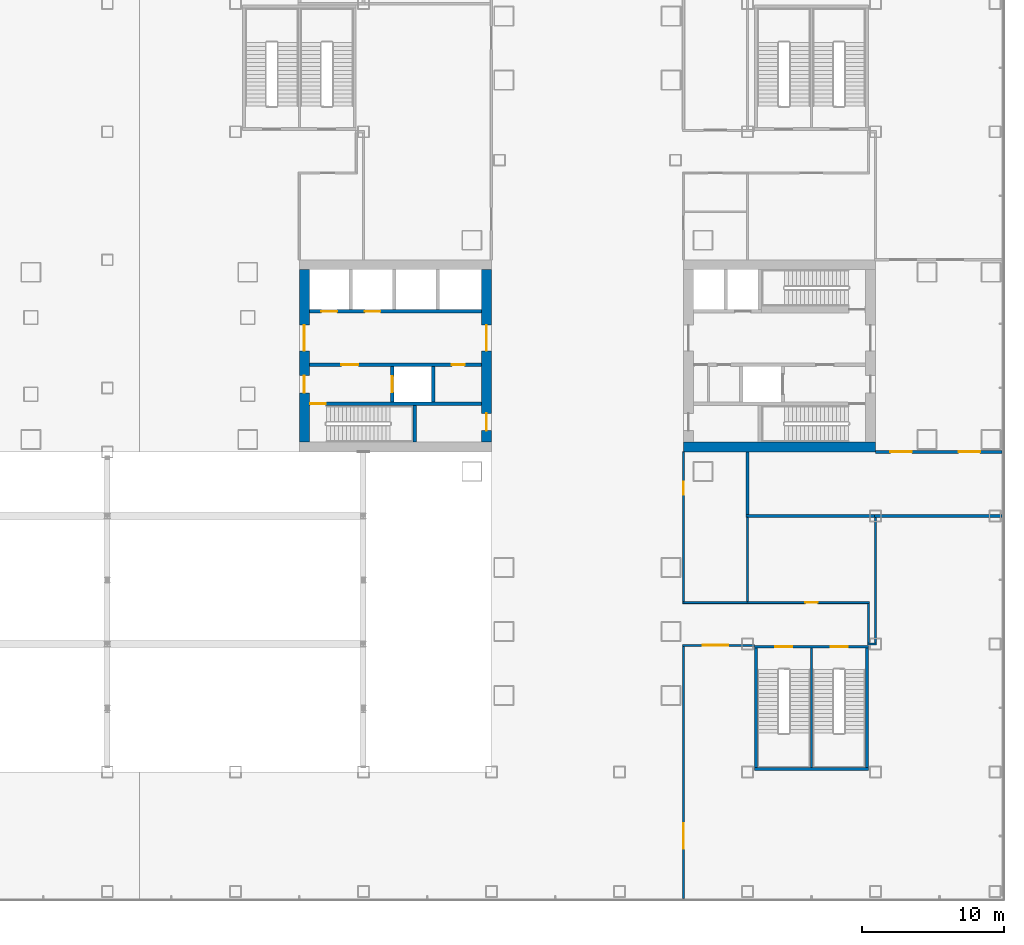
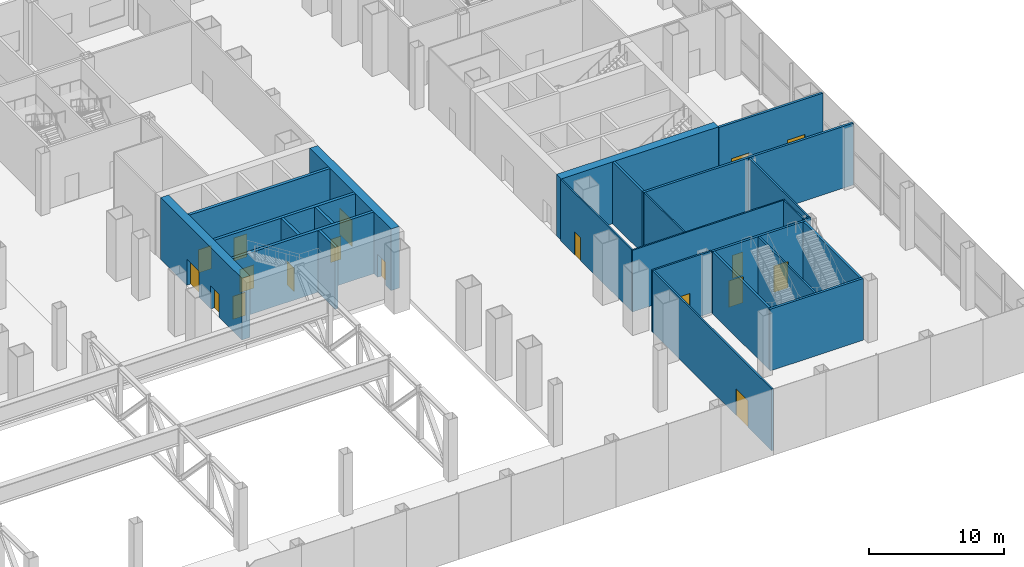
# One storey, part 21 of 33: 26 walls, 18 doors, 18 openings.
"""IFC4 building model written with IfcOpenShell, lengths in metres."""

from ifc_helpers import new_model, si_unit, direction, frame, frame_2d, origin, place, context, subcontext, project, spatial, rectangle, extrude, material, layer, layer_set, type_object, element, fill, save


model = new_model("IFC4")

# Units and contexts
model_context = context("Model", 3, precision=1e-05, world=origin(), true_north=direction((0.0, 1.0)))
body_context = subcontext(model_context, "Body", "Model", "MODEL_VIEW")
ifc_project = project(units=[si_unit("LENGTHUNIT", "METRE"), si_unit("AREAUNIT", "SQUARE_METRE"), si_unit("VOLUMEUNIT", "CUBIC_METRE"), si_unit("PLANEANGLEUNIT", "RADIAN"), si_unit("MASSUNIT", "GRAM", prefix="KILO")], contexts=[model_context])

# Site, building, storey
site_placement = place(None, origin())
site = spatial("IfcSite", under=ifc_project, at=site_placement, CompositionType="ELEMENT")
building_placement = place(site_placement, origin())
building = spatial("IfcBuilding", under=site, at=building_placement, Name="Shamsa Quay Exchange Towers", CompositionType="ELEMENT")
storey_placement = place(building_placement, frame((0.0, 0.0, 6.5)))
storey = spatial("IfcBuildingStorey", under=building, at=storey_placement, Name="L01", CompositionType="ELEMENT", Elevation=6.5)

# Wall, openings, doors
ifc_material_1 = material(Name="Double-leaf gypsum board partition with acoustic insulation")
ifc_layer_1 = layer(ifc_material_1, 0.199951171875)
ifc_layer_set_1 = layer_set([ifc_layer_1], Name="Acoustic partition 200 mm EI 60")
wall_type_1 = type_object("IfcWallType", Name="Acoustic partition 200 mm EI 60", PredefinedType="PARTITIONING", material=ifc_layer_set_1)
wall_1_placement = place(storey_placement, frame((54.0, -6.75, 0.0)))
wall_1 = element("IfcWall", 1, at=wall_1_placement, inside=storey, type_object=wall_type_1, Name="Partition PD-L01-W20", PredefinedType="PARTITIONING", context=body_context, shape_type="SweptSolid", body=[
    extrude(rectangle(XDim=8.905029296875, YDim=0.199951171875, at=frame_2d((4.45263671875, 0.0))), origin(), (0.0, 0.0, 1.0), 5.60009765625),
])
opening_1_placement = place(wall_1_placement, frame((1.050048828125, 0.0, 0.0)))
opening_1 = element("IfcOpeningElement", 2, at=opening_1_placement, cuts=wall_1, Name="Opening PD-L01-D35", PredefinedType="OPENING", context=body_context, shape_type="SweptSolid", body=[
    extrude(rectangle(XDim=1.5, YDim=2.39990234375, at=frame_2d((0.75, 1.199951171875))), frame((0.0, 0.10986328125, 0.0), z_axis=(0.0, -1.0, 0.0), x_axis=(1.0, 0.0, 0.0)), (0.0, 0.0, 1.0), 0.219970703125),
])
opening_2_placement = place(wall_1_placement, frame((5.85009765625, 0.0, 0.0)))
opening_2 = element("IfcOpeningElement", 3, at=opening_2_placement, cuts=wall_1, Name="Opening PD-L01-D36", PredefinedType="OPENING", context=body_context, shape_type="SweptSolid", body=[
    extrude(rectangle(XDim=1.5, YDim=2.39990234375, at=frame_2d((0.75, 1.199951171875))), frame((0.0, 0.10986328125, 0.0), z_axis=(0.0, -1.0, 0.0), x_axis=(1.0, 0.0, 0.0)), (0.0, 0.0, 1.0), 0.219970703125),
])
ifc_material_2 = material(Name="Timber door leaf in a metal frame", Category="wood")
door_type_1 = type_object("IfcDoorType", Name="Door 1500x2400 FD30S pair", OperationType="NOTDEFINED", PredefinedType="DOOR", material=ifc_material_2)
door_1_placement = place(opening_1_placement, origin())
door_1 = element("IfcDoor", 4, at=door_1_placement, inside=storey, type_object=door_type_1, Name="Door PD-L01-D35", OperationType="DOUBLE_DOOR_SINGLE_SWING", OverallHeight=2.39990234375, OverallWidth=1.5, PredefinedType="DOOR", context=body_context, shape_type="SweptSolid", body=[
    extrude(rectangle(XDim=1.5, YDim=2.39990234375, at=frame_2d((0.75, 1.199951171875))), frame((0.0, 0.02490234375, 0.0), z_axis=(0.0, -1.0, 0.0), x_axis=(1.0, 0.0, 0.0)), (0.0, 0.0, 1.0), 0.050048828125),
])
fill(opening_1, door_1)
door_2_placement = place(opening_2_placement, origin())
door_2 = element("IfcDoor", 5, at=door_2_placement, inside=storey, type_object=door_type_1, Name="Door PD-L01-D36", OperationType="DOUBLE_DOOR_SINGLE_SWING", OverallHeight=2.39990234375, OverallWidth=1.5, PredefinedType="DOOR", context=body_context, shape_type="SweptSolid", body=[
    extrude(rectangle(XDim=1.5, YDim=2.39990234375, at=frame_2d((0.75, 1.199951171875))), frame((0.0, 0.02490234375, 0.0), z_axis=(0.0, -1.0, 0.0), x_axis=(1.0, 0.0, 0.0)), (0.0, 0.0, 1.0), 0.050048828125),
])
fill(opening_2, door_2)

# Walls
wall_2_placement = place(storey_placement, frame((62.905029296875, -11.25, 0.0), z_axis=(0.0, 0.0, 1.0), x_axis=(-1.0, 0.0, 0.0)))
element("IfcWall", 6, at=wall_2_placement, inside=storey, type_object=wall_type_1, Name="Partition PD-L01-W53", PredefinedType="PARTITIONING", context=body_context, shape_type="SweptSolid", body=[
    extrude(rectangle(XDim=8.97998046875, YDim=0.199951171875, at=frame_2d((4.489990234375, 0.0))), origin(), (0.0, 0.0, 1.0), 5.60009765625),
])
wall_3_placement = place(storey_placement, frame((44.89990234375, -11.25, 0.0)))
element("IfcWall", 7, at=wall_3_placement, inside=storey, type_object=wall_type_1, Name="Partition PD-L01-W64", PredefinedType="PARTITIONING", context=body_context, shape_type="SweptSolid", body=[
    extrude(rectangle(XDim=9.175048828125, YDim=0.199951171875, at=frame_2d((4.58740234375, 0.0))), origin(), (0.0, 0.0, 1.0), 5.60009765625),
])
wall_4_placement = place(storey_placement, frame((45.0, -6.75, 0.0), z_axis=(0.0, 0.0, 1.0), x_axis=(0.0, -1.0, 0.0)))
element("IfcWall", 8, at=wall_4_placement, inside=storey, type_object=wall_type_1, Name="Partition PD-L01-W65", PredefinedType="PARTITIONING", context=body_context, shape_type="SweptSolid", body=[
    extrude(rectangle(XDim=4.39990234375, YDim=0.199951171875, at=frame_2d((2.199951171875, 0.0))), origin(), (0.0, 0.0, 1.0), 5.60009765625),
])

# Wall, openings, doors
ifc_material_3 = material(Name="Concrete C80/95", Category="concrete")
ifc_layer_2 = layer(ifc_material_3, 0.699951171875)
ifc_layer_set_2 = layer_set([ifc_layer_2], Name="CORE WALL 700 C80/95")
wall_type_2 = type_object("IfcWallType", Name="CORE WALL 700 C80/95", PredefinedType="SHEAR", material=ifc_layer_set_2)
wall_5_placement = place(storey_placement, frame((13.85009765625, 6.050048828125, 0.0), z_axis=(0.0, 0.0, 1.0), x_axis=(0.0, -1.0, 0.0)))
wall_5 = element("IfcWall", 9, at=wall_5_placement, inside=storey, type_object=wall_type_2, Name="Core wall T2A-L01-PF", PredefinedType="SHEAR", context=body_context, shape_type="SweptSolid", body=[
    extrude(rectangle(XDim=12.10009765625, YDim=0.699951171875, at=frame_2d((6.050048828125, 0.0))), origin(), (0.0, 0.0, 1.0), 5.60009765625),
])
opening_3_placement = place(wall_5_placement, frame((7.449951171875, 0.0, 0.0)))
opening_3 = element("IfcOpeningElement", 10, at=opening_3_placement, cuts=wall_5, Name="Opening T2A-L01-FD01", PredefinedType="OPENING", context=body_context, shape_type="SweptSolid", body=[
    extrude(rectangle(XDim=1.199951171875, YDim=2.10009765625, at=frame_2d((0.60009765625, 1.050048828125))), frame((0.0, 0.35986328125, 0.0), z_axis=(0.0, -1.0, 0.0), x_axis=(1.0, 0.0, 0.0)), (0.0, 0.0, 1.0), 0.719970703125),
])
opening_4_placement = place(wall_5_placement, frame((3.89990234375, 0.0, 0.0)))
opening_4 = element("IfcOpeningElement", 11, at=opening_4_placement, cuts=wall_5, Name="Opening T2A-L01-LBD02", PredefinedType="OPENING", context=body_context, shape_type="SweptSolid", body=[
    extrude(rectangle(XDim=1.800048828125, YDim=2.39990234375, at=frame_2d((0.89990234375, 1.199951171875))), frame((0.0, 0.35986328125, 0.0), z_axis=(0.0, -1.0, 0.0), x_axis=(1.0, 0.0, 0.0)), (0.0, 0.0, 1.0), 0.719970703125),
])
ifc_material_4 = material(Name="Steel, fire rated", Category="steel")
door_type_2 = type_object("IfcDoorType", Name="FIRE SERVICE LOBBY DOOR 1200", OperationType="SINGLE_SWING_LEFT", PredefinedType="DOOR", material=ifc_material_4)
door_3_placement = place(opening_3_placement, origin())
door_3 = element("IfcDoor", 12, at=door_3_placement, inside=storey, type_object=door_type_2, Name="T2A-L01-FD01", OperationType="SINGLE_SWING_RIGHT", OverallHeight=2.10009765625, OverallWidth=1.199951171875, PredefinedType="DOOR", context=body_context, shape_type="SweptSolid", body=[
    extrude(rectangle(XDim=1.199951171875, YDim=2.10009765625, at=frame_2d((0.60009765625, 1.050048828125))), frame((0.0, 0.02490234375, 0.0), z_axis=(0.0, -1.0, 0.0), x_axis=(1.0, 0.0, 0.0)), (0.0, 0.0, 1.0), 0.050048828125),
])
fill(opening_3, door_3)
door_type_3 = type_object("IfcDoorType", Name="LIFT LOBBY DOOR PAIR 1800", OperationType="DOUBLE_DOOR_SINGLE_SWING", PredefinedType="DOOR", material=ifc_material_4)
door_4_placement = place(opening_4_placement, origin())
door_4 = element("IfcDoor", 13, at=door_4_placement, inside=storey, type_object=door_type_3, Name="T2A-L01-LBD02", OperationType="DOUBLE_DOOR_SINGLE_SWING", OverallHeight=2.39990234375, OverallWidth=1.800048828125, PredefinedType="DOOR", context=body_context, shape_type="SweptSolid", body=[
    extrude(rectangle(XDim=1.800048828125, YDim=2.39990234375, at=frame_2d((0.89990234375, 1.199951171875))), frame((0.0, 0.02490234375, 0.0), z_axis=(0.0, -1.0, 0.0), x_axis=(1.0, 0.0, 0.0)), (0.0, 0.0, 1.0), 0.050048828125),
])
fill(opening_4, door_4)

wall_6_placement = place(storey_placement, frame((26.64990234375, 6.050048828125, 0.0), z_axis=(0.0, 0.0, 1.0), x_axis=(0.0, -1.0, 0.0)))
wall_6 = element("IfcWall", 14, at=wall_6_placement, inside=storey, type_object=wall_type_2, Name="Core wall T2A-L01-PB", PredefinedType="SHEAR", context=body_context, shape_type="SweptSolid", body=[
    extrude(rectangle(XDim=12.10009765625, YDim=0.699951171875, at=frame_2d((6.050048828125, 0.0))), origin(), (0.0, 0.0, 1.0), 5.60009765625),
])
opening_5_placement = place(wall_6_placement, frame((10.10009765625, 0.0, 0.0)))
opening_5 = element("IfcOpeningElement", 15, at=opening_5_placement, cuts=wall_6, Name="Opening T2A-L01-RD03", PredefinedType="OPENING", context=body_context, shape_type="SweptSolid", body=[
    extrude(rectangle(XDim=1.199951171875, YDim=2.10009765625, at=frame_2d((0.60009765625, 1.050048828125))), frame((0.0, 0.35986328125, 0.0), z_axis=(0.0, -1.0, 0.0), x_axis=(1.0, 0.0, 0.0)), (0.0, 0.0, 1.0), 0.719970703125),
])
opening_6_placement = place(wall_6_placement, frame((3.89990234375, 0.0, 0.0)))
opening_6 = element("IfcOpeningElement", 16, at=opening_6_placement, cuts=wall_6, Name="Opening T2A-L01-LBD04", PredefinedType="OPENING", context=body_context, shape_type="SweptSolid", body=[
    extrude(rectangle(XDim=1.800048828125, YDim=2.39990234375, at=frame_2d((0.89990234375, 1.199951171875))), frame((0.0, 0.35986328125, 0.0), z_axis=(0.0, -1.0, 0.0), x_axis=(1.0, 0.0, 0.0)), (0.0, 0.0, 1.0), 0.719970703125),
])
door_5_placement = place(opening_6_placement, origin())
door_5 = element("IfcDoor", 17, at=door_5_placement, inside=storey, type_object=door_type_3, Name="T2A-L01-LBD04", OperationType="DOUBLE_DOOR_SINGLE_SWING", OverallHeight=2.39990234375, OverallWidth=1.800048828125, PredefinedType="DOOR", context=body_context, shape_type="SweptSolid", body=[
    extrude(rectangle(XDim=1.800048828125, YDim=2.39990234375, at=frame_2d((0.89990234375, 1.199951171875))), frame((0.0, 0.02490234375, 0.0), z_axis=(0.0, -1.0, 0.0), x_axis=(1.0, 0.0, 0.0)), (0.0, 0.0, 1.0), 0.050048828125),
])
fill(opening_6, door_5)
door_type_4 = type_object("IfcDoorType", Name="RISER ACCESS DOOR 1200", OperationType="SINGLE_SWING_LEFT", PredefinedType="DOOR", material=ifc_material_4)
door_6_placement = place(opening_5_placement, origin())
door_6 = element("IfcDoor", 18, at=door_6_placement, inside=storey, type_object=door_type_4, Name="T2A-L01-RD03", OperationType="SINGLE_SWING_RIGHT", OverallHeight=2.10009765625, OverallWidth=1.199951171875, PredefinedType="DOOR", context=body_context, shape_type="SweptSolid", body=[
    extrude(rectangle(XDim=1.199951171875, YDim=2.10009765625, at=frame_2d((0.60009765625, 1.050048828125))), frame((0.0, 0.02490234375, 0.0), z_axis=(0.0, -1.0, 0.0), x_axis=(1.0, 0.0, 0.0)), (0.0, 0.0, 1.0), 0.050048828125),
])
fill(opening_5, door_6)

# Wall
wall_7_placement = place(storey_placement, frame((54.0, -6.39990234375, 0.0), z_axis=(0.0, 0.0, 1.0), x_axis=(-1.0, 0.0, 0.0)))
element("IfcWall", 19, at=wall_7_placement, inside=storey, type_object=wall_type_2, Name="Core wall T2B-L01-PS", PredefinedType="SHEAR", context=body_context, shape_type="SweptSolid", body=[
    extrude(rectangle(XDim=13.5, YDim=0.699951171875, at=frame_2d((6.75, 0.0))), origin(), (0.0, 0.0, 1.0), 5.60009765625),
])

# Wall, opening, door
ifc_material_5 = material(Name="Laminated fire-resisting glass in a metal frame", Category="glass")
ifc_layer_3 = layer(ifc_material_5, 0.125)
ifc_layer_set_3 = layer_set([ifc_layer_3], Name="Glazed partition 125 mm EI 60")
wall_type_3 = type_object("IfcWallType", Name="Glazed partition 125 mm EI 60", PredefinedType="PARTITIONING", material=ifc_layer_set_3)
wall_8_placement = place(storey_placement, frame((40.5, -6.75, 0.0), z_axis=(0.0, 0.0, 1.0), x_axis=(0.0, -1.0, 0.0)))
wall_8 = element("IfcWall", 20, at=wall_8_placement, inside=storey, type_object=wall_type_3, Name="Partition PD-L01-W10", PredefinedType="PARTITIONING", context=body_context, shape_type="SweptSolid", body=[
    extrude(rectangle(XDim=10.537109375, YDim=0.125, at=frame_2d((5.2685546875, 0.0))), origin(), (0.0, 0.0, 1.0), 5.60009765625),
])
opening_7_placement = place(wall_8_placement, frame((2.10009765625, 0.0, 0.0)))
opening_7 = element("IfcOpeningElement", 21, at=opening_7_placement, cuts=wall_8, Name="Opening PD-L01-D29", PredefinedType="OPENING", context=body_context, shape_type="SweptSolid", body=[
    extrude(rectangle(XDim=0.89990234375, YDim=2.10009765625, at=frame_2d((0.449951171875, 1.050048828125))), frame((0.0, 0.072509765625, 0.0), z_axis=(0.0, -1.0, 0.0), x_axis=(1.0, 0.0, 0.0)), (0.0, 0.0, 1.0), 0.14501953125),
])
door_type_5 = type_object("IfcDoorType", Name="Door 900x2100 FD30S", OperationType="NOTDEFINED", PredefinedType="DOOR", material=ifc_material_2)
door_7_placement = place(opening_7_placement, origin())
door_7 = element("IfcDoor", 22, at=door_7_placement, inside=storey, type_object=door_type_5, Name="Door PD-L01-D29", OperationType="SINGLE_SWING_RIGHT", OverallHeight=2.10009765625, OverallWidth=0.89990234375, PredefinedType="DOOR", context=body_context, shape_type="SweptSolid", body=[
    extrude(rectangle(XDim=0.89990234375, YDim=2.10009765625, at=frame_2d((0.449951171875, 1.050048828125))), frame((0.0, 0.02490234375, 0.0), z_axis=(0.0, -1.0, 0.0), x_axis=(1.0, 0.0, 0.0)), (0.0, 0.0, 1.0), 0.050048828125),
])
fill(opening_7, door_7)

wall_9_placement = place(storey_placement, frame((40.4375, -17.349609375, 0.0)))
wall_9 = element("IfcWall", 23, at=wall_9_placement, inside=storey, type_object=wall_type_3, Name="Partition PD-L01-W38", PredefinedType="PARTITIONING", context=body_context, shape_type="SweptSolid", body=[
    extrude(rectangle(XDim=13.125, YDim=0.125, at=frame_2d((6.5625, 0.0))), origin(), (0.0, 0.0, 1.0), 5.60009765625),
])
opening_8_placement = place(wall_9_placement, frame((8.612548828125, 0.0, 0.0)))
opening_8 = element("IfcOpeningElement", 24, at=opening_8_placement, cuts=wall_9, Name="Opening PD-L01-D28", PredefinedType="OPENING", context=body_context, shape_type="SweptSolid", body=[
    extrude(rectangle(XDim=0.89990234375, YDim=2.10009765625, at=frame_2d((0.449951171875, 1.050048828125))), frame((0.0, 0.072509765625, 0.0), z_axis=(0.0, -1.0, 0.0), x_axis=(1.0, 0.0, 0.0)), (0.0, 0.0, 1.0), 0.14501953125),
])
door_8_placement = place(opening_8_placement, origin())
door_8 = element("IfcDoor", 25, at=door_8_placement, inside=storey, type_object=door_type_5, Name="Door PD-L01-D28", OperationType="SINGLE_SWING_RIGHT", OverallHeight=2.10009765625, OverallWidth=0.89990234375, PredefinedType="DOOR", context=body_context, shape_type="SweptSolid", body=[
    extrude(rectangle(XDim=0.89990234375, YDim=2.10009765625, at=frame_2d((0.449951171875, 1.050048828125))), frame((0.0, 0.02490234375, 0.0), z_axis=(0.0, -1.0, 0.0), x_axis=(1.0, 0.0, 0.0)), (0.0, 0.0, 1.0), 0.050048828125),
])
fill(opening_8, door_8)

# Walls
wall_10_placement = place(storey_placement, frame((53.5, -17.412109375, 0.0), z_axis=(0.0, 0.0, 1.0), x_axis=(0.0, -1.0, 0.0)))
element("IfcWall", 26, at=wall_10_placement, inside=storey, type_object=wall_type_3, Name="Partition PD-L01-W39", PredefinedType="PARTITIONING", context=body_context, shape_type="SweptSolid", body=[
    extrude(rectangle(XDim=2.762939453125, YDim=0.125, at=frame_2d((1.38134765625, 0.0))), origin(), (0.0, 0.0, 1.0), 5.60009765625),
])
wall_11_placement = place(storey_placement, frame((45.0, -11.35009765625, 0.0), z_axis=(0.0, 0.0, 1.0), x_axis=(0.0, -1.0, 0.0)))
element("IfcWall", 27, at=wall_11_placement, inside=storey, type_object=wall_type_3, Name="Partition PD-L01-W66", PredefinedType="PARTITIONING", context=body_context, shape_type="SweptSolid", body=[
    extrude(rectangle(XDim=5.93701171875, YDim=0.125, at=frame_2d((2.968505859375, 0.0))), origin(), (0.0, 0.0, 1.0), 5.60009765625),
])

# Wall, opening, door
ifc_material_6 = material(Name="Gypsum board partition on metal studs")
ifc_layer_4 = layer(ifc_material_6, 0.14990234375)
ifc_layer_set_4 = layer_set([ifc_layer_4], Name="Partition 150 mm EI 60")
wall_type_4 = type_object("IfcWallType", Name="Partition 150 mm EI 60", PredefinedType="PARTITIONING", material=ifc_layer_set_4)
wall_12_placement = place(storey_placement, frame((40.5, -38.155029296875, 0.0), z_axis=(0.0, 0.0, 1.0), x_axis=(0.0, 1.0, 0.0)))
wall_12 = element("IfcWall", 28, at=wall_12_placement, inside=storey, type_object=wall_type_4, Name="Partition PD-L01-W07", PredefinedType="PARTITIONING", context=body_context, shape_type="SweptSolid", body=[
    extrude(rectangle(XDim=17.73046875, YDim=0.14990234375, at=frame_2d((8.865234375, 0.0))), origin(), (0.0, 0.0, 1.0), 5.60009765625),
])
opening_9_placement = place(wall_12_placement, frame((3.5048828125, 0.0, 0.0)))
opening_9 = element("IfcOpeningElement", 29, at=opening_9_placement, cuts=wall_12, Name="Opening PD-L01-D26", PredefinedType="OPENING", context=body_context, shape_type="SweptSolid", body=[
    extrude(rectangle(XDim=1.800048828125, YDim=2.39990234375, at=frame_2d((0.89990234375, 1.199951171875))), frame((0.0, 0.0849609375, 0.0), z_axis=(0.0, -1.0, 0.0), x_axis=(1.0, 0.0, 0.0)), (0.0, 0.0, 1.0), 0.169921875),
])
door_type_6 = type_object("IfcDoorType", Name="Door 1800x2400 FD30S pair", OperationType="NOTDEFINED", PredefinedType="DOOR", material=ifc_material_2)
door_9_placement = place(opening_9_placement, origin())
door_9 = element("IfcDoor", 30, at=door_9_placement, inside=storey, type_object=door_type_6, Name="Door PD-L01-D26", OperationType="DOUBLE_DOOR_SINGLE_SWING", OverallHeight=2.39990234375, OverallWidth=1.800048828125, PredefinedType="DOOR", context=body_context, shape_type="SweptSolid", body=[
    extrude(rectangle(XDim=1.800048828125, YDim=2.39990234375, at=frame_2d((0.89990234375, 1.199951171875))), frame((0.0, 0.02490234375, 0.0), z_axis=(0.0, -1.0, 0.0), x_axis=(1.0, 0.0, 0.0)), (0.0, 0.0, 1.0), 0.050048828125),
])
fill(opening_9, door_9)

wall_13_placement = place(storey_placement, frame((40.425048828125, -20.349609375, 0.0)))
wall_13 = element("IfcWall", 31, at=wall_13_placement, inside=storey, type_object=wall_type_4, Name="Partition PD-L01-W33", PredefinedType="PARTITIONING", context=body_context, shape_type="SweptSolid", body=[
    extrude(rectangle(XDim=5.074951171875, YDim=0.14990234375, at=frame_2d((2.53759765625, 0.0))), origin(), (0.0, 0.0, 1.0), 5.60009765625),
])
opening_10_placement = place(wall_13_placement, frame((1.425048828125, 0.0, 0.0)))
opening_10 = element("IfcOpeningElement", 32, at=opening_10_placement, cuts=wall_13, Name="Opening PD-L01-D27", PredefinedType="OPENING", context=body_context, shape_type="SweptSolid", body=[
    extrude(rectangle(XDim=1.800048828125, YDim=2.39990234375, at=frame_2d((0.89990234375, 1.199951171875))), frame((0.0, 0.0849609375, 0.0), z_axis=(0.0, -1.0, 0.0), x_axis=(1.0, 0.0, 0.0)), (0.0, 0.0, 1.0), 0.169921875),
])
door_10_placement = place(opening_10_placement, origin())
door_10 = element("IfcDoor", 33, at=door_10_placement, inside=storey, type_object=door_type_6, Name="Door PD-L01-D27", OperationType="DOUBLE_DOOR_SINGLE_SWING", OverallHeight=2.39990234375, OverallWidth=1.800048828125, PredefinedType="DOOR", context=body_context, shape_type="SweptSolid", body=[
    extrude(rectangle(XDim=1.800048828125, YDim=2.39990234375, at=frame_2d((0.89990234375, 1.199951171875))), frame((0.0, 0.02490234375, 0.0), z_axis=(0.0, -1.0, 0.0), x_axis=(1.0, 0.0, 0.0)), (0.0, 0.0, 1.0), 0.050048828125),
])
fill(opening_10, door_10)

# Walls
wall_14_placement = place(storey_placement, frame((54.074951171875, -20.25, 0.0), z_axis=(0.0, 0.0, 1.0), x_axis=(-1.0, 0.0, 0.0)))
element("IfcWall", 34, at=wall_14_placement, inside=storey, type_object=wall_type_4, Name="Partition PD-L01-W42", PredefinedType="PARTITIONING", context=body_context, shape_type="SweptSolid", body=[
    extrude(rectangle(XDim=0.637451171875, YDim=0.14990234375, at=frame_2d((0.31884765625, 0.0))), origin(), (0.0, 0.0, 1.0), 5.60009765625),
])
wall_15_placement = place(storey_placement, frame((54.0, -11.35009765625, 0.0), z_axis=(0.0, 0.0, 1.0), x_axis=(0.0, -1.0, 0.0)))
element("IfcWall", 35, at=wall_15_placement, inside=storey, type_object=wall_type_4, Name="Partition PD-L01-W55", PredefinedType="PARTITIONING", context=body_context, shape_type="SweptSolid", body=[
    extrude(rectangle(XDim=8.824951171875, YDim=0.14990234375, at=frame_2d((4.41259765625, 0.0))), origin(), (0.0, 0.0, 1.0), 5.60009765625),
])

# Wall, opening, door
ifc_material_7 = material(Name="Concrete C50/60", Category="concrete")
ifc_layer_5 = layer(ifc_material_7, 0.25)
ifc_layer_set_5 = layer_set([ifc_layer_5], Name="SHAFT WALL 250 C50/60")
wall_type_5 = type_object("IfcWallType", Name="SHAFT WALL 250 C50/60", PredefinedType="SHEAR", material=ifc_layer_set_5)
wall_16_placement = place(storey_placement, frame((26.300048828125, -3.375, 0.0), z_axis=(0.0, 0.0, 1.0), x_axis=(-1.0, 0.0, 0.0)))
wall_16 = element("IfcWall", 36, at=wall_16_placement, inside=storey, type_object=wall_type_5, Name="Shaft wall T2A-L01-STL", PredefinedType="SHEAR", context=body_context, shape_type="SweptSolid", body=[
    extrude(rectangle(XDim=12.10009765625, YDim=0.25, at=frame_2d((6.050048828125, 0.0))), origin(), (0.0, 0.0, 1.0), 5.60009765625),
])
opening_11_placement = place(wall_16_placement, frame((10.949951171875, 0.0, 0.0)))
opening_11 = element("IfcOpeningElement", 37, at=opening_11_placement, cuts=wall_16, Name="Opening T2A-L01-SD05", PredefinedType="OPENING", context=body_context, shape_type="SweptSolid", body=[
    extrude(rectangle(XDim=1.10009765625, YDim=2.10009765625, at=frame_2d((0.550048828125, 1.050048828125))), frame((0.0, 0.135009765625, 0.0), z_axis=(0.0, -1.0, 0.0), x_axis=(1.0, 0.0, 0.0)), (0.0, 0.0, 1.0), 0.27001953125),
])
door_type_7 = type_object("IfcDoorType", Name="STAIR DOOR 1100", OperationType="SINGLE_SWING_LEFT", PredefinedType="DOOR", material=ifc_material_4)
door_11_placement = place(opening_11_placement, origin())
door_11 = element("IfcDoor", 38, at=door_11_placement, inside=storey, type_object=door_type_7, Name="T2A-L01-SD05", OperationType="SINGLE_SWING_RIGHT", OverallHeight=2.10009765625, OverallWidth=1.10009765625, PredefinedType="DOOR", context=body_context, shape_type="SweptSolid", body=[
    extrude(rectangle(XDim=1.10009765625, YDim=2.10009765625, at=frame_2d((0.550048828125, 1.050048828125))), frame((0.0, 0.02490234375, 0.0), z_axis=(0.0, -1.0, 0.0), x_axis=(1.0, 0.0, 0.0)), (0.0, 0.0, 1.0), 0.050048828125),
])
fill(opening_11, door_11)

# Wall
wall_17_placement = place(storey_placement, frame((21.625, -6.050048828125, 0.0), z_axis=(0.0, 0.0, 1.0), x_axis=(0.0, 1.0, 0.0)))
element("IfcWall", 39, at=wall_17_placement, inside=storey, type_object=wall_type_5, Name="Shaft wall T2A-L01-STF", PredefinedType="SHEAR", context=body_context, shape_type="SweptSolid", body=[
    extrude(rectangle(XDim=2.550048828125, YDim=0.25, at=frame_2d((1.27490234375, 0.0))), origin(), (0.0, 0.0, 1.0), 5.60009765625),
])

# Wall, openings, doors
wall_18_placement = place(storey_placement, frame((26.300048828125, -0.625, 0.0), z_axis=(0.0, 0.0, 1.0), x_axis=(-1.0, 0.0, 0.0)))
wall_18 = element("IfcWall", 40, at=wall_18_placement, inside=storey, type_object=wall_type_5, Name="Shaft wall T2A-L01-B", PredefinedType="SHEAR", context=body_context, shape_type="SweptSolid", body=[
    extrude(rectangle(XDim=12.10009765625, YDim=0.25, at=frame_2d((6.050048828125, 0.0))), origin(), (0.0, 0.0, 1.0), 5.60009765625),
])
opening_12_placement = place(wall_18_placement, frame((8.64990234375, 0.0, 0.0)))
opening_12 = element("IfcOpeningElement", 41, at=opening_12_placement, cuts=wall_18, Name="Opening T2A-L01-FD06", PredefinedType="OPENING", context=body_context, shape_type="SweptSolid", body=[
    extrude(rectangle(XDim=1.199951171875, YDim=2.10009765625, at=frame_2d((0.60009765625, 1.050048828125))), frame((0.0, 0.135009765625, 0.0), z_axis=(0.0, -1.0, 0.0), x_axis=(1.0, 0.0, 0.0)), (0.0, 0.0, 1.0), 0.27001953125),
])
opening_13_placement = place(wall_18_placement, frame((1.175048828125, 0.0, 0.0)))
opening_13 = element("IfcOpeningElement", 42, at=opening_13_placement, cuts=wall_18, Name="Opening T2A-L01-SV07", PredefinedType="OPENING", context=body_context, shape_type="SweptSolid", body=[
    extrude(rectangle(XDim=0.89990234375, YDim=2.10009765625, at=frame_2d((0.449951171875, 1.050048828125))), frame((0.0, 0.135009765625, 0.0), z_axis=(0.0, -1.0, 0.0), x_axis=(1.0, 0.0, 0.0)), (0.0, 0.0, 1.0), 0.27001953125),
])
door_12_placement = place(opening_12_placement, origin())
door_12 = element("IfcDoor", 43, at=door_12_placement, inside=storey, type_object=door_type_2, Name="T2A-L01-FD06", OperationType="SINGLE_SWING_RIGHT", OverallHeight=2.10009765625, OverallWidth=1.199951171875, PredefinedType="DOOR", context=body_context, shape_type="SweptSolid", body=[
    extrude(rectangle(XDim=1.199951171875, YDim=2.10009765625, at=frame_2d((0.60009765625, 1.050048828125))), frame((0.0, 0.02490234375, 0.0), z_axis=(0.0, -1.0, 0.0), x_axis=(1.0, 0.0, 0.0)), (0.0, 0.0, 1.0), 0.050048828125),
])
fill(opening_12, door_12)
door_type_8 = type_object("IfcDoorType", Name="SERVICE ROOM DOOR 900", OperationType="SINGLE_SWING_LEFT", PredefinedType="DOOR", material=ifc_material_4)
door_13_placement = place(opening_13_placement, origin())
door_13 = element("IfcDoor", 44, at=door_13_placement, inside=storey, type_object=door_type_8, Name="T2A-L01-SV07", OperationType="SINGLE_SWING_LEFT", OverallHeight=2.10009765625, OverallWidth=0.89990234375, PredefinedType="DOOR", context=body_context, shape_type="SweptSolid", body=[
    extrude(rectangle(XDim=0.89990234375, YDim=2.10009765625, at=frame_2d((0.449951171875, 1.050048828125))), frame((0.0, 0.02490234375, 0.0), z_axis=(0.0, -1.0, 0.0), x_axis=(1.0, 0.0, 0.0)), (0.0, 0.0, 1.0), 0.050048828125),
])
fill(opening_13, door_13)

# Wall, opening, door
wall_19_placement = place(storey_placement, frame((20.02490234375, -3.25, 0.0), z_axis=(0.0, 0.0, 1.0), x_axis=(0.0, 1.0, 0.0)))
wall_19 = element("IfcWall", 45, at=wall_19_placement, inside=storey, type_object=wall_type_5, Name="Shaft wall T2A-L01-FFF", PredefinedType="SHEAR", context=body_context, shape_type="SweptSolid", body=[
    extrude(rectangle(XDim=2.5, YDim=0.25, at=frame_2d((1.25, 0.0))), origin(), (0.0, 0.0, 1.0), 5.60009765625),
])
opening_14_placement = place(wall_19_placement, frame((0.699951171875, 0.0, 0.0)))
opening_14 = element("IfcOpeningElement", 46, at=opening_14_placement, cuts=wall_19, Name="Opening T2A-L01-LDF08", PredefinedType="OPENING", context=body_context, shape_type="SweptSolid", body=[
    extrude(rectangle(XDim=1.10009765625, YDim=2.10009765625, at=frame_2d((0.550048828125, 1.050048828125))), frame((0.0, 0.135009765625, 0.0), z_axis=(0.0, -1.0, 0.0), x_axis=(1.0, 0.0, 0.0)), (0.0, 0.0, 1.0), 0.27001953125),
])
door_type_9 = type_object("IfcDoorType", Name="FIRE SERVICE LANDING DOOR 1100", OperationType="SLIDING_TO_LEFT", PredefinedType="DOOR", material=ifc_material_4)
door_14_placement = place(opening_14_placement, origin())
door_14 = element("IfcDoor", 47, at=door_14_placement, inside=storey, type_object=door_type_9, Name="T2A-L01-LDF08", OperationType="SLIDING_TO_LEFT", OverallHeight=2.10009765625, OverallWidth=1.10009765625, PredefinedType="DOOR", context=body_context, shape_type="SweptSolid", body=[
    extrude(rectangle(XDim=1.10009765625, YDim=2.10009765625, at=frame_2d((0.550048828125, 1.050048828125))), frame((0.0, 0.02490234375, 0.0), z_axis=(0.0, -1.0, 0.0), x_axis=(1.0, 0.0, 0.0)), (0.0, 0.0, 1.0), 0.050048828125),
])
fill(opening_14, door_14)

# Wall
wall_20_placement = place(storey_placement, frame((22.925048828125, -3.25, 0.0), z_axis=(0.0, 0.0, 1.0), x_axis=(0.0, 1.0, 0.0)))
element("IfcWall", 48, at=wall_20_placement, inside=storey, type_object=wall_type_5, Name="Shaft wall T2A-L01-FFB", PredefinedType="SHEAR", context=body_context, shape_type="SweptSolid", body=[
    extrude(rectangle(XDim=2.5, YDim=0.25, at=frame_2d((1.25, 0.0))), origin(), (0.0, 0.0, 1.0), 5.60009765625),
])

# Wall, openings, doors
wall_21_placement = place(storey_placement, frame((14.199951171875, 3.125, 0.0)))
wall_21 = element("IfcWall", 49, at=wall_21_placement, inside=storey, type_object=wall_type_5, Name="Shaft wall T2A-L01-N", PredefinedType="SHEAR", context=body_context, shape_type="SweptSolid", body=[
    extrude(rectangle(XDim=12.10009765625, YDim=0.25, at=frame_2d((6.050048828125, 0.0))), origin(), (0.0, 0.0, 1.0), 5.60009765625),
])
opening_15_placement = place(wall_21_placement, frame((0.85009765625, 0.0, 0.0)))
opening_15 = element("IfcOpeningElement", 50, at=opening_15_placement, cuts=wall_21, Name="Opening T2A-L01-LD09", PredefinedType="OPENING", context=body_context, shape_type="SweptSolid", body=[
    extrude(rectangle(XDim=1.10009765625, YDim=2.10009765625, at=frame_2d((0.550048828125, 1.050048828125))), frame((0.0, 0.135009765625, 0.0), z_axis=(0.0, -1.0, 0.0), x_axis=(1.0, 0.0, 0.0)), (0.0, 0.0, 1.0), 0.27001953125),
])
opening_16_placement = place(wall_21_placement, frame((3.89990234375, 0.0, 0.0)))
opening_16 = element("IfcOpeningElement", 51, at=opening_16_placement, cuts=wall_21, Name="Opening T2A-L01-LD10", PredefinedType="OPENING", context=body_context, shape_type="SweptSolid", body=[
    extrude(rectangle(XDim=1.10009765625, YDim=2.10009765625, at=frame_2d((0.550048828125, 1.050048828125))), frame((0.0, 0.135009765625, 0.0), z_axis=(0.0, -1.0, 0.0), x_axis=(1.0, 0.0, 0.0)), (0.0, 0.0, 1.0), 0.27001953125),
])
door_type_10 = type_object("IfcDoorType", Name="LANDING DOOR 1100", OperationType="SLIDING_TO_LEFT", PredefinedType="DOOR", material=ifc_material_4)
door_15_placement = place(opening_15_placement, origin())
door_15 = element("IfcDoor", 52, at=door_15_placement, inside=storey, type_object=door_type_10, Name="T2A-L01-LD09", OperationType="SLIDING_TO_LEFT", OverallHeight=2.10009765625, OverallWidth=1.10009765625, PredefinedType="DOOR", context=body_context, shape_type="SweptSolid", body=[
    extrude(rectangle(XDim=1.10009765625, YDim=2.10009765625, at=frame_2d((0.550048828125, 1.050048828125))), frame((0.0, 0.02490234375, 0.0), z_axis=(0.0, -1.0, 0.0), x_axis=(1.0, 0.0, 0.0)), (0.0, 0.0, 1.0), 0.050048828125),
])
fill(opening_15, door_15)
door_16_placement = place(opening_16_placement, origin())
door_16 = element("IfcDoor", 53, at=door_16_placement, inside=storey, type_object=door_type_10, Name="T2A-L01-LD10", OperationType="SLIDING_TO_LEFT", OverallHeight=2.10009765625, OverallWidth=1.10009765625, PredefinedType="DOOR", context=body_context, shape_type="SweptSolid", body=[
    extrude(rectangle(XDim=1.10009765625, YDim=2.10009765625, at=frame_2d((0.550048828125, 1.050048828125))), frame((0.0, 0.02490234375, 0.0), z_axis=(0.0, -1.0, 0.0), x_axis=(1.0, 0.0, 0.0)), (0.0, 0.0, 1.0), 0.050048828125),
])
fill(opening_16, door_16)

ifc_layer_6 = layer(ifc_material_7, 0.199951171875)
ifc_layer_set_6 = layer_set([ifc_layer_6], Name="STAIR ENCLOSURE WALL 200 C50/60")
wall_type_6 = type_object("IfcWallType", Name="STAIR ENCLOSURE WALL 200 C50/60", PredefinedType="SHEAR", material=ifc_layer_set_6)
wall_22_placement = place(storey_placement, frame((53.5, -20.449951171875, 0.0), z_axis=(0.0, 0.0, 1.0), x_axis=(-1.0, 0.0, 0.0)))
wall_22 = element("IfcWall", 54, at=wall_22_placement, inside=storey, type_object=wall_type_6, Name="Stair enclosure wall PS6 inward", PredefinedType="SHEAR", context=body_context, shape_type="SweptSolid", body=[
    extrude(rectangle(XDim=8.0, YDim=0.199951171875, at=frame_2d((4.0, 0.0))), origin(), (0.0, 0.0, 1.0), 5.60009765625),
])
opening_17_placement = place(wall_22_placement, frame((5.33740234375, 0.0, 0.0)))
opening_17 = element("IfcOpeningElement", 55, at=opening_17_placement, cuts=wall_22, Name="Opening PS6A-L01-SD01", PredefinedType="OPENING", context=body_context, shape_type="SweptSolid", body=[
    extrude(rectangle(XDim=1.199951171875, YDim=2.39990234375, at=frame_2d((0.60009765625, 1.199951171875))), frame((0.0, 0.10986328125, 0.0), z_axis=(0.0, -1.0, 0.0), x_axis=(1.0, 0.0, 0.0)), (0.0, 0.0, 1.0), 0.219970703125),
])
opening_18_placement = place(wall_22_placement, frame((1.46240234375, 0.0, 0.0)))
opening_18 = element("IfcOpeningElement", 56, at=opening_18_placement, cuts=wall_22, Name="Opening PS6B-L01-SD01", PredefinedType="OPENING", context=body_context, shape_type="SweptSolid", body=[
    extrude(rectangle(XDim=1.199951171875, YDim=2.39990234375, at=frame_2d((0.60009765625, 1.199951171875))), frame((0.0, 0.10986328125, 0.0), z_axis=(0.0, -1.0, 0.0), x_axis=(1.0, 0.0, 0.0)), (0.0, 0.0, 1.0), 0.219970703125),
])
door_type_11 = type_object("IfcDoorType", Name="PODIUM STAIR DOOR 1200", OperationType="SINGLE_SWING_LEFT", PredefinedType="DOOR", material=ifc_material_4)
door_17_placement = place(opening_17_placement, origin())
door_17 = element("IfcDoor", 57, at=door_17_placement, inside=storey, type_object=door_type_11, Name="PS6A-L01-SD01", OperationType="SINGLE_SWING_LEFT", OverallHeight=2.39990234375, OverallWidth=1.199951171875, PredefinedType="DOOR", context=body_context, shape_type="SweptSolid", body=[
    extrude(rectangle(XDim=1.199951171875, YDim=2.39990234375, at=frame_2d((0.60009765625, 1.199951171875))), frame((0.0, 0.02490234375, 0.0), z_axis=(0.0, -1.0, 0.0), x_axis=(1.0, 0.0, 0.0)), (0.0, 0.0, 1.0), 0.050048828125),
])
fill(opening_17, door_17)
door_18_placement = place(opening_18_placement, origin())
door_18 = element("IfcDoor", 58, at=door_18_placement, inside=storey, type_object=door_type_11, Name="PS6B-L01-SD01", OperationType="SINGLE_SWING_RIGHT", OverallHeight=2.39990234375, OverallWidth=1.199951171875, PredefinedType="DOOR", context=body_context, shape_type="SweptSolid", body=[
    extrude(rectangle(XDim=1.199951171875, YDim=2.39990234375, at=frame_2d((0.60009765625, 1.199951171875))), frame((0.0, 0.02490234375, 0.0), z_axis=(0.0, -1.0, 0.0), x_axis=(1.0, 0.0, 0.0)), (0.0, 0.0, 1.0), 0.050048828125),
])
fill(opening_18, door_18)

# Walls
wall_23_placement = place(storey_placement, frame((45.5, -29.050048828125, 0.0)))
element("IfcWall", 59, at=wall_23_placement, inside=storey, type_object=wall_type_6, Name="Stair enclosure wall PS6 outward", PredefinedType="SHEAR", context=body_context, shape_type="SweptSolid", body=[
    extrude(rectangle(XDim=8.0, YDim=0.199951171875, at=frame_2d((4.0, 0.0))), origin(), (0.0, 0.0, 1.0), 5.60009765625),
])
for number, where, z_axis, x_axis, name in (
    (60, (45.60009765625, -28.949951171875, 0.0), (0.0, 0.0, 1.0), (0.0, 1.0, 0.0), "Stair enclosure wall PS6 west"),
    (61, (53.39990234375, -28.949951171875, 0.0), (0.0, 0.0, 1.0), (0.0, 1.0, 0.0), "Stair enclosure wall PS6 east"),
):
    element("IfcWall", number, at=place(storey_placement, frame(where, z_axis=z_axis, x_axis=x_axis)), inside=storey, type_object=wall_type_6, Name=name, PredefinedType="SHEAR", context=body_context, shape_type="SweptSolid", body=[
        extrude(rectangle(XDim=8.39990234375, YDim=0.199951171875, at=frame_2d((4.199951171875, 0.0))), origin(), (0.0, 0.0, 1.0), 5.60009765625),
    ])
ifc_layer_7 = layer(ifc_material_7, 0.14990234375)
ifc_layer_set_7 = layer_set([ifc_layer_7], Name="STAIR PARTITION WALL 150 C50/60")
wall_type_7 = type_object("IfcWallType", Name="STAIR PARTITION WALL 150 C50/60", PredefinedType="SHEAR", material=ifc_layer_set_7)
wall_24_placement = place(storey_placement, frame((49.5, -28.949951171875, 0.0), z_axis=(0.0, 0.0, 1.0), x_axis=(0.0, 1.0, 0.0)))
element("IfcWall", 62, at=wall_24_placement, inside=storey, type_object=wall_type_7, Name="Stair enclosure wall PS6 between the stairs", PredefinedType="SHEAR", context=body_context, shape_type="SweptSolid", body=[
    extrude(rectangle(XDim=8.39990234375, YDim=0.14990234375, at=frame_2d((4.199951171875, 0.0))), origin(), (0.0, 0.0, 1.0), 5.60009765625),
])

save(model, "model.ifc")
